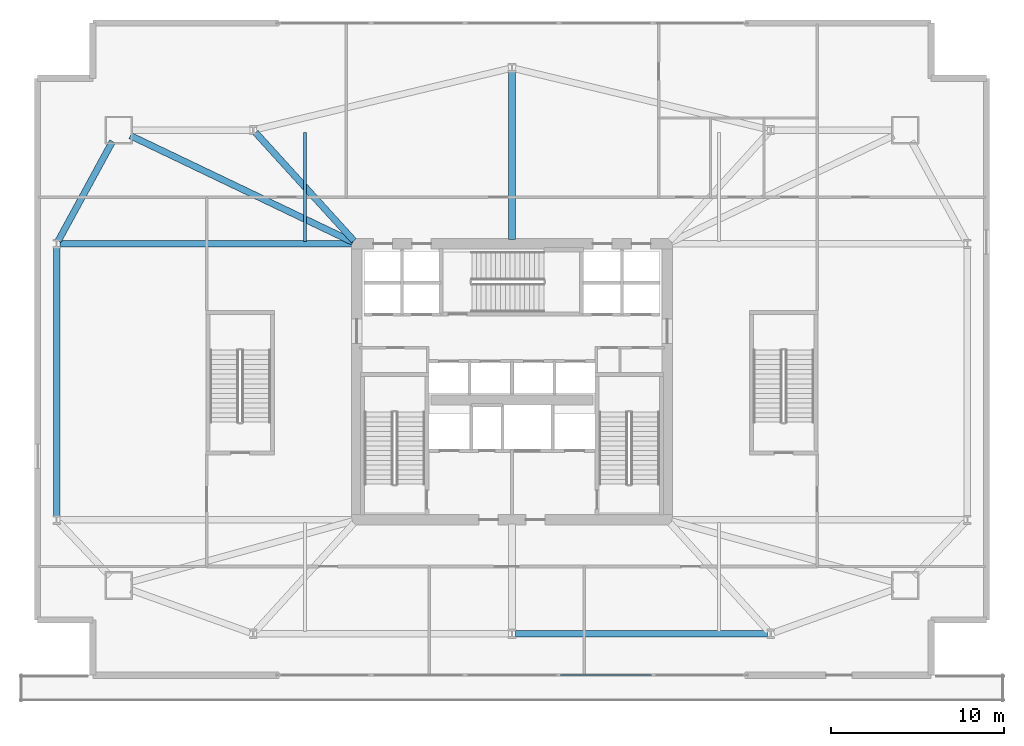
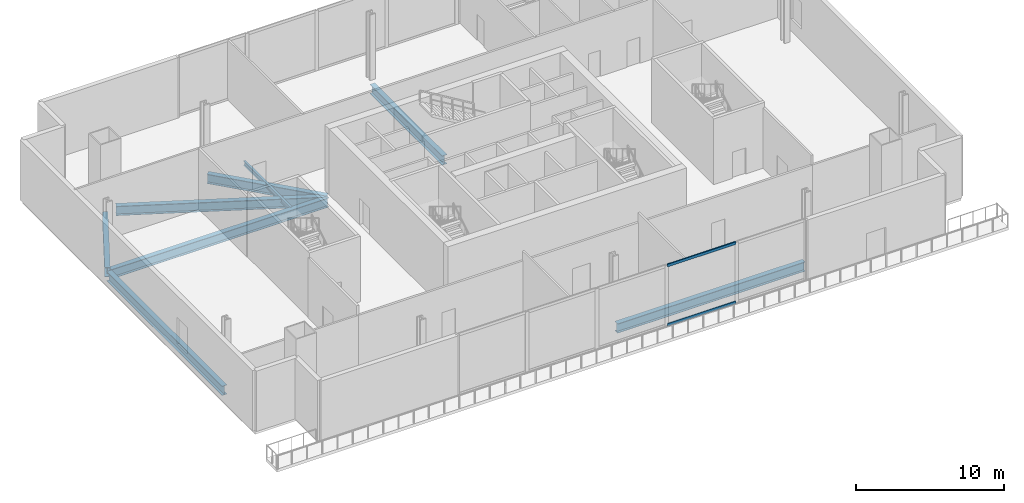
# One storey, part 4 of 16: 8 beams, 2 members, 1 element without a shape of its own.
"""IFC4 building model written with IfcOpenShell, lengths in metres."""

from ifc_helpers import new_model, si_unit, direction, frame, origin, origin_2d, place, context, subcontext, project, spatial, hollow_rectangle, i_section, extrude, material, material_profile, profile_set, type_object, element, aggregate, save


model = new_model("IFC4")

# Units and contexts
model_context = context("Model", 3, precision=1e-05, world=origin(), true_north=direction((0.0, 1.0)))
body_context = subcontext(model_context, "Body", "Model", "MODEL_VIEW")
ifc_project = project(units=[si_unit("LENGTHUNIT", "METRE"), si_unit("AREAUNIT", "SQUARE_METRE"), si_unit("VOLUMEUNIT", "CUBIC_METRE"), si_unit("PLANEANGLEUNIT", "RADIAN"), si_unit("MASSUNIT", "GRAM", prefix="KILO")], contexts=[model_context])

# Site, building, storey
site_placement = place(None, origin())
site = spatial("IfcSite", under=ifc_project, at=site_placement, CompositionType="ELEMENT")
building_placement = place(site_placement, origin())
building = spatial("IfcBuilding", under=site, at=building_placement, Name="Haldenkirk Collegiate Tower", CompositionType="ELEMENT")
storey_placement = place(building_placement, frame((0.0, 0.0, 16.800048828125)))
storey = spatial("IfcBuildingStorey", under=building, at=storey_placement, Name="L03", CompositionType="ELEMENT", Elevation=16.800048828125)

# Beams
ifc_material_1 = material(Name="Steel ASTM A992 Grade 50", Category="steel")
ifc_material_profile_1 = material_profile(ifc_material_1, i_section(OverallWidth=0.381103515625, OverallDepth=0.77294921875, WebThickness=0.0166015625, FlangeThickness=0.027099609375, at=origin_2d()), Name="W30X173")
ifc_profile_set_1 = profile_set([ifc_material_profile_1], Name="Steel ASTM A992 Grade 50")
beam_type_1 = type_object("IfcBeamType", Name="BM-GIRDER-W30X173", PredefinedType="BEAM", material=ifc_profile_set_1)
beam_1_placement = place(storey_placement, frame((36.199951171875, 11.39990234375, -0.716552734375), z_axis=(1.0, 0.0, 0.0), x_axis=(0.0, 1.0, 0.0)))
element("IfcBeam", 1, at=beam_1_placement, inside=storey, type_object=beam_type_1, Name="L03 podium ring girder 03", PredefinedType="BEAM", context=body_context, shape_type="SweptSolid", body=[
    extrude(i_section(OverallWidth=0.381103515625, OverallDepth=0.77294921875, WebThickness=0.0166015625, FlangeThickness=0.027099609375, at=origin_2d()), origin(), (0.0, 0.0, 1.0), 14.60009765625),
])
beam_2_placement = place(storey_placement, frame((12.8408203125, 39.941650390625, -0.716552734375), z_axis=(-0.47883650459, -0.877904096056, 0.0), x_axis=(0.877904096056, -0.47883650459, 0.0)))
element("IfcBeam", 2, at=beam_2_placement, inside=storey, type_object=beam_type_1, Name="L03 podium ring girder 12", PredefinedType="BEAM", context=body_context, shape_type="SweptSolid", body=[
    extrude(i_section(OverallWidth=0.381103515625, OverallDepth=0.77294921875, WebThickness=0.0166015625, FlangeThickness=0.027099609375, at=origin_2d()), origin(), (0.0, 0.0, 1.0), 6.568115234375),
])
beam_3_placement = place(storey_placement, frame((9.60009765625, 33.800048828125, -0.716552734375), z_axis=(0.0, -1.0, 0.0), x_axis=(1.0, 0.0, 0.0)))
element("IfcBeam", 3, at=beam_3_placement, inside=storey, type_object=beam_type_1, Name="L03 podium ring girder 13", PredefinedType="BEAM", context=body_context, shape_type="SweptSolid", body=[
    extrude(i_section(OverallWidth=0.381103515625, OverallDepth=0.77294921875, WebThickness=0.0166015625, FlangeThickness=0.027099609375, at=origin_2d()), origin(), (0.0, 0.0, 1.0), 15.60009765625),
])
beam_4_placement = place(storey_placement, frame((9.800048828125, 34.0, -0.716552734375), z_axis=(1.0, 0.0, 0.0), x_axis=(0.0, 1.0, 0.0)))
element("IfcBeam", 4, at=beam_4_placement, inside=storey, type_object=beam_type_1, Name="L03 podium radial girder 02", PredefinedType="BEAM", context=body_context, shape_type="SweptSolid", body=[
    extrude(i_section(OverallWidth=0.381103515625, OverallDepth=0.77294921875, WebThickness=0.0166015625, FlangeThickness=0.027099609375, at=origin_2d()), origin(), (0.0, 0.0, 1.0), 16.949951171875),
])
beam_5_placement = place(storey_placement, frame((36.0, 44.0, -0.716552734375), z_axis=(0.0, -1.0, 0.0), x_axis=(1.0, 0.0, 0.0)))
element("IfcBeam", 5, at=beam_5_placement, inside=storey, type_object=beam_type_1, Name="L03 podium radial girder 06", PredefinedType="BEAM", context=body_context, shape_type="SweptSolid", body=[
    extrude(i_section(OverallWidth=0.381103515625, OverallDepth=0.77294921875, WebThickness=0.0166015625, FlangeThickness=0.027099609375, at=origin_2d()), origin(), (0.0, 0.0, 1.0), 9.75),
])
beam_6_placement = place(storey_placement, frame((21.134521484375, 40.451904296875, -0.716552734375), z_axis=(0.672681402593, -0.739932247307, 0.0), x_axis=(0.739932247307, 0.672681402593, 0.0)))
element("IfcBeam", 6, at=beam_6_placement, inside=storey, type_object=beam_type_1, Name="L03 podium radial girder 09", PredefinedType="BEAM", context=body_context, shape_type="SweptSolid", body=[
    extrude(i_section(OverallWidth=0.381103515625, OverallDepth=0.77294921875, WebThickness=0.0166015625, FlangeThickness=0.027099609375, at=origin_2d()), origin(), (0.0, 0.0, 1.0), 8.469482421875),
])
beam_7_placement = place(storey_placement, frame((13.876708984375, 40.2763671875, -0.716552734375), z_axis=(0.902134510622, -0.431454893058, 0.0), x_axis=(0.431454893058, 0.902134510622, 0.0)))
element("IfcBeam", 7, at=beam_7_placement, inside=storey, type_object=beam_type_1, Name="L03 podium radial girder 14", PredefinedType="BEAM", context=body_context, shape_type="SweptSolid", body=[
    extrude(i_section(OverallWidth=0.381103515625, OverallDepth=0.77294921875, WebThickness=0.0166015625, FlangeThickness=0.027099609375, at=origin_2d()), origin(), (0.0, 0.0, 1.0), 14.296875),
])
ifc_material_profile_2 = material_profile(ifc_material_1, i_section(OverallWidth=0.1708984375, OverallDepth=0.35595703125, WebThickness=0.007080078125, FlangeThickness=0.01171875, at=origin_2d()), Name="W14X34")
ifc_profile_set_2 = profile_set([ifc_material_profile_2], Name="Steel ASTM A992 Grade 50")
beam_type_2 = type_object("IfcBeamType", Name="BM-JOIST-W14X34", PredefinedType="JOIST", material=ifc_profile_set_2)
beam_8_placement = place(storey_placement, frame((24.0, 34.139892578125, -0.508056640625), z_axis=(0.0, 1.0, 0.0), x_axis=(-1.0, 0.0, 0.0)))
element("IfcBeam", 8, at=beam_8_placement, inside=storey, type_object=beam_type_2, Name="L03 north bay floor joist 1", PredefinedType="JOIST", context=body_context, shape_type="SweptSolid", body=[
    extrude(i_section(OverallWidth=0.1708984375, OverallDepth=0.35595703125, WebThickness=0.007080078125, FlangeThickness=0.01171875, at=origin_2d()), origin(), (0.0, 0.0, 1.0), 6.320068359375),
])

# Curtain wall, members
ifc_material_2 = material(Name="Anodised architectural bronze aluminium", Category="aluminium")
curtain_wall_type = type_object("IfcCurtainWallType", Name="CW-SYS3-PODIUM", PredefinedType="USERDEFINED", material=ifc_material_2)
curtain_wall_placement = place(storey_placement, origin())
curtain_wall = element("IfcCurtainWall", 9, at=curtain_wall_placement, inside=storey, type_object=curtain_wall_type, Name="L03 Podium campus concourse and library storefront curtain wall", ObjectType="UNITISED CURTAIN WALL", PredefinedType="USERDEFINED")
ifc_material_profile_3 = material_profile(ifc_material_2, hollow_rectangle(XDim=0.094970703125, YDim=0.219970703125, WallThickness=0.0048828125, at=origin_2d()), Name="CW-TRN-03")
ifc_profile_set_3 = profile_set([ifc_material_profile_3], Name="Anodised architectural bronze aluminium")
member_type = type_object("IfcMemberType", Name="CW-TRN-03", PredefinedType="USERDEFINED", material=ifc_profile_set_3)
member_1_placement = place(storey_placement, frame((44.1171875, 9.0, 0.04736328125), z_axis=(-1.0, 0.0, 0.0), x_axis=(0.0, -1.0, 0.0)))
member_1 = element("IfcMember", 10, at=member_1_placement, type_object=member_type, Name="CW-03 transom 2.1", ObjectType="TRANSOM", PredefinedType="USERDEFINED", context=body_context, shape_type="SweptSolid", body=[
    extrude(hollow_rectangle(XDim=0.094970703125, YDim=0.219970703125, WallThickness=0.0048828125, at=origin_2d()), origin(), (0.0, 0.0, 1.0), 5.34814453125),
])
member_2_placement = place(storey_placement, frame((44.1171875, 9.0, 4.932373046875), z_axis=(-1.0, 0.0, 0.0), x_axis=(0.0, -1.0, 0.0)))
member_2 = element("IfcMember", 11, at=member_2_placement, type_object=member_type, Name="CW-03 transom 2.2", ObjectType="TRANSOM", PredefinedType="USERDEFINED", context=body_context, shape_type="SweptSolid", body=[
    extrude(hollow_rectangle(XDim=0.094970703125, YDim=0.219970703125, WallThickness=0.0048828125, at=origin_2d()), origin(), (0.0, 0.0, 1.0), 5.34814453125),
])
aggregate(curtain_wall, [member_1, member_2])

save(model, "model.ifc")
